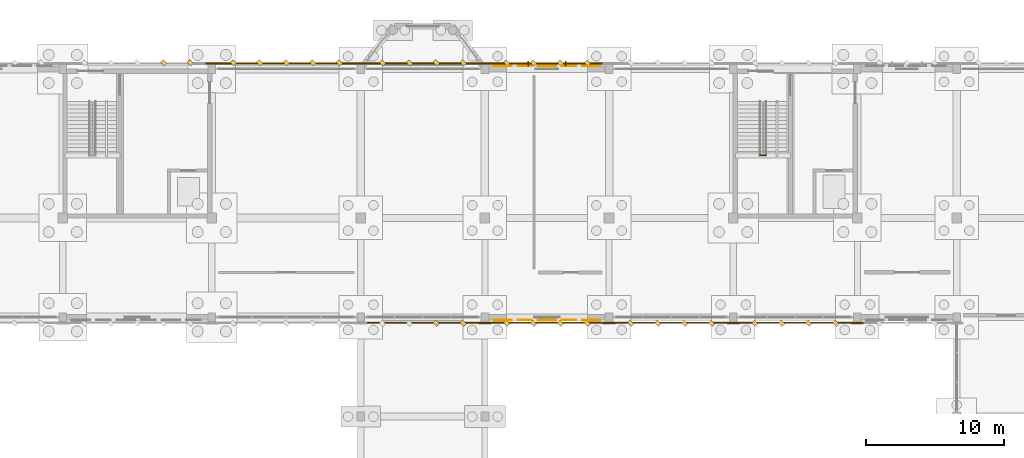
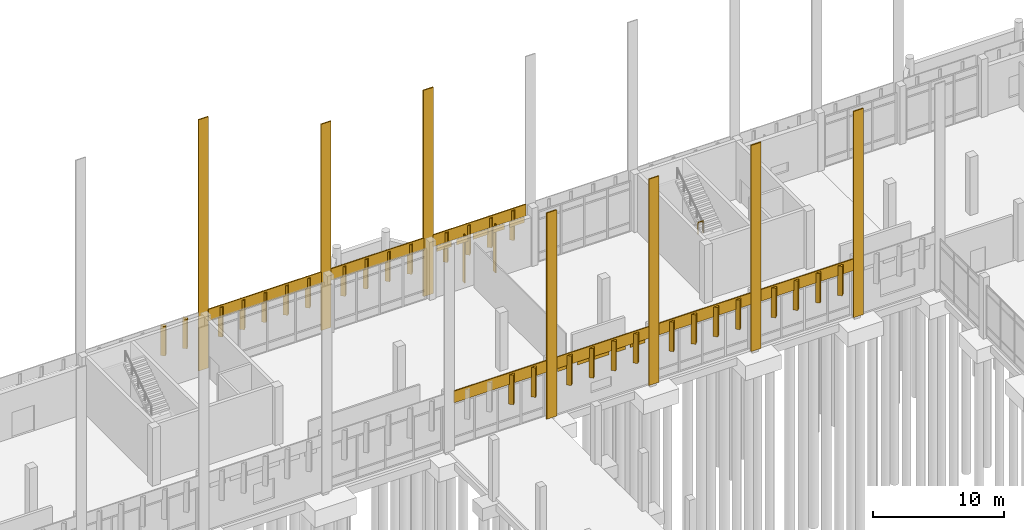
# One storey, part 103 of 109: 55 coverings, 1 railing.
"""IFC4 building model written with IfcOpenShell, lengths in metres."""

from ifc_helpers import new_model, si_unit, direction, frame, origin, origin_2d, place, context, subcontext, project, spatial, rectangle, circle, extrude, material, layer, layer_set, type_object, element, save


model = new_model("IFC4")

# Units and contexts
model_context = context("Model", 3, precision=1e-05, world=origin(), true_north=direction((0.0, 1.0)))
body_context = subcontext(model_context, "Body", "Model", "MODEL_VIEW")
ifc_project = project(units=[si_unit("LENGTHUNIT", "METRE"), si_unit("AREAUNIT", "SQUARE_METRE"), si_unit("VOLUMEUNIT", "CUBIC_METRE"), si_unit("PLANEANGLEUNIT", "RADIAN"), si_unit("MASSUNIT", "GRAM", prefix="KILO")], contexts=[model_context])

# Site, building, storey
site_placement = place(None, origin())
site = spatial("IfcSite", under=ifc_project, at=site_placement, CompositionType="ELEMENT")
building_placement = place(site_placement, origin())
building = spatial("IfcBuilding", under=site, at=building_placement, Name="Lusvemor Sports Hall", CompositionType="ELEMENT")
storey_placement = place(building_placement, origin())
storey = spatial("IfcBuildingStorey", under=building, at=storey_placement, Name="L00", CompositionType="ELEMENT", Elevation=0.0)

# Coverings
ifc_material_1 = material(Name="Precast granite-faced Concrete C40/50 architectural cladding", Category="masonry")
ifc_layer_1 = layer(ifc_material_1, 0.055908203125)
ifc_layer_set_1 = layer_set([ifc_layer_1], Name="Precast granite-faced Concrete C40/50 architectural cladding")
covering_type_1 = type_object("IfcCoveringType", Name="CLAD_RELIEF_FRIEZE", PredefinedType="CLADDING", material=ifc_layer_set_1)
covering_1_placement = place(storey_placement, frame((64.800048828125, 115.610107421875, 0.0), z_axis=(0.0, 0.0, 1.0), x_axis=(1.0, 0.0, 0.0)))
element("IfcCovering", 1, at=covering_1_placement, inside=storey, type_object=covering_type_1, Name="Art Nouveau Pilaster Cladding Casing 495", PredefinedType="CLADDING", context=body_context, shape_type="SweptSolid", body=[
    extrude(rectangle(XDim=0.8798828125, YDim=0.10009765625, at=origin_2d()), origin(), (0.0, 0.0, 1.0), 23.39990234375),
])
for number, where, z_axis, x_axis, name in (
    (2, (75.60009765625, 115.610107421875, 0.0), (0.0, 0.0, 1.0), (1.0, 0.0, 0.0), "Art Nouveau Pilaster Cladding Casing 677"),
    (3, (84.60009765625, 115.610107421875, 0.0), (0.0, 0.0, 1.0), (1.0, 0.0, 0.0), "Art Nouveau Pilaster Cladding Casing 678"),
    (4, (84.60009765625, 96.7900390625, 0.0), (0.0, 0.0, 1.0), (1.0, 0.0, 0.0), "Art Nouveau Pilaster Cladding Casing 1157"),
    (5, (93.60009765625, 96.7900390625, 0.0), (0.0, 0.0, 1.0), (1.0, 0.0, 0.0), "Art Nouveau Pilaster Cladding Casing 1158"),
    (6, (102.60009765625, 96.7900390625, 0.0), (0.0, 0.0, 1.0), (1.0, 0.0, 0.0), "Art Nouveau Pilaster Cladding Casing 1159"),
    (7, (111.60009765625, 96.7900390625, 0.0), (0.0, 0.0, 1.0), (1.0, 0.0, 0.0), "Art Nouveau Pilaster Cladding Casing 1160"),
):
    element("IfcCovering", number, at=place(storey_placement, frame(where, z_axis=z_axis, x_axis=x_axis)), inside=storey, type_object=covering_type_1, Name=name, PredefinedType="CLADDING", context=body_context, shape_type="SweptSolid", body=[
        extrude(rectangle(XDim=0.8798828125, YDim=0.10009765625, at=origin_2d()), origin(), (0.0, 0.0, 1.0), 19.199951171875),
    ])
ifc_material_2 = material(Name="Emerald polychrome glazed ceramic cladding on Concrete C40/50 backing", Category="concrete")
ifc_layer_2 = layer(ifc_material_2, 0.0458984375)
ifc_layer_set_2 = layer_set([ifc_layer_2], Name="Emerald polychrome glazed ceramic cladding on Concrete C40/50 backing")
covering_type_2 = type_object("IfcCoveringType", Name="CLAD_WAVE_EMERALD", PredefinedType="CLADDING", material=ifc_layer_set_2)
for number, where, z_axis, x_axis, name in (
    (8, (85.89990234375, 115.41796875, 3.9248046875), (0.0, 0.0, 1.0), (1.0, 0.0, 0.0), "Art Nouveau Patterned Cladding PS-EW-L00-N-1-8-1"),
    (9, (89.10009765625, 115.41796875, 3.9248046875), (0.0, 0.0, 1.0), (1.0, 0.0, 0.0), "Art Nouveau Patterned Cladding PS-EW-L00-N-1-8-3"),
    (10, (92.300048828125, 115.41796875, 3.9248046875), (0.0, 0.0, 1.0), (1.0, 0.0, 0.0), "Art Nouveau Patterned Cladding PS-EW-L00-N-1-8-5"),
    (11, (85.89990234375, 96.98193359375, 3.9248046875), (0.0, 0.0, 1.0), (1.0, 0.0, 0.0), "Art Nouveau Patterned Cladding PS-EW-L00-S-3-6-1"),
    (12, (89.10009765625, 96.98193359375, 3.9248046875), (0.0, 0.0, 1.0), (1.0, 0.0, 0.0), "Art Nouveau Patterned Cladding PS-EW-L00-S-3-6-3"),
    (13, (92.300048828125, 96.98193359375, 3.9248046875), (0.0, 0.0, 1.0), (1.0, 0.0, 0.0), "Art Nouveau Patterned Cladding PS-EW-L00-S-3-6-5"),
):
    element("IfcCovering", number, at=place(storey_placement, frame(where, z_axis=z_axis, x_axis=x_axis)), inside=storey, type_object=covering_type_2, Name=name, PredefinedType="CLADDING", context=body_context, shape_type="SweptSolid", body=[
        extrude(rectangle(XDim=1.31201171875, YDim=0.0458984375, at=origin_2d()), origin(), (0.0, 0.0, 1.0), 0.510009765625),
    ])
for number, where, z_axis, x_axis, name in (
    (14, (61.320068359375, 115.639892578125, 2.550048828125), (0.0, 0.0, 1.0), (0.707106781187, 0.707106781187, 0.0), "Patterned Diamond Cladding Rib 650"),
    (15, (68.280029296875, 115.639892578125, 2.550048828125), (0.0, 0.0, 1.0), (0.707106781187, 0.707106781187, 0.0), "Patterned Diamond Cladding Rib 685"),
    (16, (72.1201171875, 115.639892578125, 2.550048828125), (0.0, 0.0, 1.0), (0.707106781187, 0.707106781187, 0.0), "Patterned Diamond Cladding Rib 687"),
    (17, (79.125, 115.639892578125, 2.550048828125), (0.0, 0.0, 1.0), (0.707106781187, 0.707106781187, 0.0), "Patterned Diamond Cladding Rib 709"),
    (18, (83.02490234375, 115.639892578125, 2.550048828125), (0.0, 0.0, 1.0), (0.707106781187, 0.707106781187, 0.0), "Patterned Diamond Cladding Rib 711"),
    (19, (88.125, 115.639892578125, 2.550048828125), (0.0, 0.0, 1.0), (0.707106781187, 0.707106781187, 0.0), "Patterned Diamond Cladding Rib 729"),
    (20, (92.02490234375, 115.639892578125, 2.550048828125), (0.0, 0.0, 1.0), (0.707106781187, 0.707106781187, 0.0), "Patterned Diamond Cladding Rib 731"),
    (21, (83.02490234375, 96.760009765625, 2.550048828125), (0.0, 0.0, 1.0), (0.707106781187, 0.707106781187, 0.0), "Patterned Diamond Cladding Rib 1286"),
    (22, (88.125, 96.760009765625, 2.550048828125), (0.0, 0.0, 1.0), (0.707106781187, 0.707106781187, 0.0), "Patterned Diamond Cladding Rib 1304"),
    (23, (92.02490234375, 96.760009765625, 2.550048828125), (0.0, 0.0, 1.0), (0.707106781187, 0.707106781187, 0.0), "Patterned Diamond Cladding Rib 1306"),
    (24, (97.125, 96.760009765625, 2.550048828125), (0.0, 0.0, 1.0), (0.707106781187, 0.707106781187, 0.0), "Patterned Diamond Cladding Rib 1324"),
    (25, (101.02490234375, 96.760009765625, 2.550048828125), (0.0, 0.0, 1.0), (0.707106781187, 0.707106781187, 0.0), "Patterned Diamond Cladding Rib 1326"),
    (26, (106.125, 96.760009765625, 2.550048828125), (0.0, 0.0, 1.0), (0.707106781187, 0.707106781187, 0.0), "Patterned Diamond Cladding Rib 1344"),
    (27, (110.02490234375, 96.760009765625, 2.550048828125), (0.0, 0.0, 1.0), (0.707106781187, 0.707106781187, 0.0), "Patterned Diamond Cladding Rib 1346"),
):
    element("IfcCovering", number, at=place(storey_placement, frame(where, z_axis=z_axis, x_axis=x_axis)), inside=storey, type_object=covering_type_2, Name=name, PredefinedType="CLADDING", context=body_context, shape_type="SweptSolid", body=[
        extrude(rectangle(XDim=0.280029296875, YDim=0.3798828125, at=origin_2d()), origin(), (0.0, 0.0, 1.0), 2.75),
    ])
ifc_material_3 = material(Name="Warm terracotta Art Nouveau ceramic cladding on Concrete C40/50 backing", Category="masonry")
ifc_layer_3 = layer(ifc_material_3, 0.0380859375)
ifc_layer_set_3 = layer_set([ifc_layer_3], Name="Warm terracotta Art Nouveau ceramic cladding on Concrete C40/50 backing")
covering_type_3 = type_object("IfcCoveringType", Name="CLAD_WAVE_OCHRE", PredefinedType="CLADDING", material=ifc_layer_set_3)
for number, where, z_axis, x_axis, name in (
    (28, (87.5, 115.4140625, 3.9248046875), (0.0, 0.0, 1.0), (1.0, 0.0, 0.0), "Art Nouveau Patterned Cladding PS-EW-L00-N-1-8-2"),
    (29, (90.699951171875, 115.4140625, 3.9248046875), (0.0, 0.0, 1.0), (1.0, 0.0, 0.0), "Art Nouveau Patterned Cladding PS-EW-L00-N-1-8-4"),
    (30, (87.5, 96.986083984375, 3.9248046875), (0.0, 0.0, 1.0), (1.0, 0.0, 0.0), "Art Nouveau Patterned Cladding PS-EW-L00-S-3-6-2"),
    (31, (90.699951171875, 96.986083984375, 3.9248046875), (0.0, 0.0, 1.0), (1.0, 0.0, 0.0), "Art Nouveau Patterned Cladding PS-EW-L00-S-3-6-4"),
):
    element("IfcCovering", number, at=place(storey_placement, frame(where, z_axis=z_axis, x_axis=x_axis)), inside=storey, type_object=covering_type_3, Name=name, PredefinedType="CLADDING", context=body_context, shape_type="SweptSolid", body=[
        extrude(rectangle(XDim=1.02392578125, YDim=0.0380859375, at=origin_2d()), origin(), (0.0, 0.0, 1.0), 0.510009765625),
    ])
covering_2_placement = place(storey_placement, frame((70.199951171875, 115.590087890625, 4.3798828125), z_axis=(0.0, 0.0, 1.0), x_axis=(1.0, 0.0, 0.0)))
element("IfcCovering", 32, at=covering_2_placement, inside=storey, type_object=covering_type_3, Name="Art Nouveau Spandrel Cornice 683", PredefinedType="CLADDING", context=body_context, shape_type="SweptSolid", body=[
    extrude(rectangle(XDim=9.97998046875, YDim=0.090087890625, at=origin_2d()), origin(), (0.0, 0.0, 1.0), 1.080078125),
])
for number, where, z_axis, x_axis, name in (
    (33, (80.10009765625, 115.590087890625, 4.3798828125), (0.0, 0.0, 1.0), (1.0, 0.0, 0.0), "Art Nouveau Spandrel Cornice 707"),
    (34, (89.10009765625, 115.590087890625, 4.3798828125), (0.0, 0.0, 1.0), (1.0, 0.0, 0.0), "Art Nouveau Spandrel Cornice 727"),
    (35, (80.10009765625, 96.81005859375, 4.3798828125), (0.0, 0.0, 1.0), (1.0, 0.0, 0.0), "Art Nouveau Spandrel Cornice 1282"),
    (36, (89.10009765625, 96.81005859375, 4.3798828125), (0.0, 0.0, 1.0), (1.0, 0.0, 0.0), "Art Nouveau Spandrel Cornice 1302"),
    (37, (98.10009765625, 96.81005859375, 4.3798828125), (0.0, 0.0, 1.0), (1.0, 0.0, 0.0), "Art Nouveau Spandrel Cornice 1322"),
    (38, (107.10009765625, 96.81005859375, 4.3798828125), (0.0, 0.0, 1.0), (1.0, 0.0, 0.0), "Art Nouveau Spandrel Cornice 1342"),
):
    element("IfcCovering", number, at=place(storey_placement, frame(where, z_axis=z_axis, x_axis=x_axis)), inside=storey, type_object=covering_type_3, Name=name, PredefinedType="CLADDING", context=body_context, shape_type="SweptSolid", body=[
        extrude(rectangle(XDim=8.179931640625, YDim=0.090087890625, at=origin_2d()), origin(), (0.0, 0.0, 1.0), 1.080078125),
    ])
ifc_material_4 = material(Name="Emerald polychrome glazed ceramic cladding on Concrete C40/50 backing", Category="concrete")
ifc_layer_4 = layer(ifc_material_4, 0.35009765625)
ifc_layer_set_4 = layer_set([ifc_layer_4], Name="Emerald polychrome glazed ceramic cladding on Concrete C40/50 backing")
covering_type_4 = type_object("IfcCoveringType", Name="FIN_BRISE_CER_350", PredefinedType="MOLDING", material=ifc_layer_set_4)
for number, where, z_axis, x_axis, name in (
    (39, (87.739990234375, 115.580078125, 0.10009765625), (0.0, 0.0, 1.0), (1.0, 0.0, 0.0), "Wing Brise-Soleil Fin L00-N-1-8-1"),
    (40, (90.4599609375, 115.580078125, 0.10009765625), (0.0, 0.0, 1.0), (1.0, 0.0, 0.0), "Wing Brise-Soleil Fin L00-N-1-8-2"),
):
    element("IfcCovering", number, at=place(storey_placement, frame(where, z_axis=z_axis, x_axis=x_axis)), inside=storey, type_object=covering_type_4, Name=name, PredefinedType="MOLDING", context=body_context, shape_type="SweptSolid", body=[
        extrude(rectangle(XDim=0.080078125, YDim=0.35009765625, at=origin_2d()), origin(), (0.0, 0.0, 1.0), 4.52001953125),
    ])
ifc_material_5 = material(Name="Warm terracotta Art Nouveau ceramic cladding on Concrete C40/50 backing", Category="masonry")
ifc_layer_5 = layer(ifc_material_5, 0.449951171875)
ifc_layer_set_5 = layer_set([ifc_layer_5], Name="Warm terracotta Art Nouveau ceramic cladding on Concrete C40/50 backing")
covering_type_5 = type_object("IfcCoveringType", Name="FIN_BRISE_CER_450", PredefinedType="MOLDING", material=ifc_layer_set_5)
for number, where, z_axis, x_axis, name in (
    (41, (63.239990234375, 115.639892578125, 2.550048828125), (0.0, 0.0, 1.0), (0.707106781187, 0.707106781187, 0.0), "Patterned Diamond Cladding Rib 651"),
    (42, (66.360107421875, 115.639892578125, 2.550048828125), (0.0, 0.0, 1.0), (0.707106781187, 0.707106781187, 0.0), "Patterned Diamond Cladding Rib 684"),
    (43, (70.199951171875, 115.639892578125, 2.550048828125), (0.0, 0.0, 1.0), (0.707106781187, 0.707106781187, 0.0), "Patterned Diamond Cladding Rib 686"),
    (44, (74.0400390625, 115.639892578125, 2.550048828125), (0.0, 0.0, 1.0), (0.707106781187, 0.707106781187, 0.0), "Patterned Diamond Cladding Rib 688"),
    (45, (77.175048828125, 115.639892578125, 2.550048828125), (0.0, 0.0, 1.0), (0.707106781187, 0.707106781187, 0.0), "Patterned Diamond Cladding Rib 708"),
    (46, (81.074951171875, 115.639892578125, 2.550048828125), (0.0, 0.0, 1.0), (0.707106781187, 0.707106781187, 0.0), "Patterned Diamond Cladding Rib 710"),
    (47, (86.175048828125, 115.639892578125, 2.550048828125), (0.0, 0.0, 1.0), (0.707106781187, 0.707106781187, 0.0), "Patterned Diamond Cladding Rib 728"),
    (48, (90.074951171875, 115.639892578125, 2.550048828125), (0.0, 0.0, 1.0), (0.707106781187, 0.707106781187, 0.0), "Patterned Diamond Cladding Rib 730"),
    (49, (81.074951171875, 96.760009765625, 2.550048828125), (0.0, 0.0, 1.0), (0.707106781187, 0.707106781187, 0.0), "Patterned Diamond Cladding Rib 1285"),
    (50, (86.175048828125, 96.760009765625, 2.550048828125), (0.0, 0.0, 1.0), (0.707106781187, 0.707106781187, 0.0), "Patterned Diamond Cladding Rib 1303"),
    (51, (90.074951171875, 96.760009765625, 2.550048828125), (0.0, 0.0, 1.0), (0.707106781187, 0.707106781187, 0.0), "Patterned Diamond Cladding Rib 1305"),
    (52, (95.175048828125, 96.760009765625, 2.550048828125), (0.0, 0.0, 1.0), (0.707106781187, 0.707106781187, 0.0), "Patterned Diamond Cladding Rib 1323"),
    (53, (99.074951171875, 96.760009765625, 2.550048828125), (0.0, 0.0, 1.0), (0.707106781187, 0.707106781187, 0.0), "Patterned Diamond Cladding Rib 1325"),
    (54, (104.175048828125, 96.760009765625, 2.550048828125), (0.0, 0.0, 1.0), (0.707106781187, 0.707106781187, 0.0), "Patterned Diamond Cladding Rib 1343"),
    (55, (108.074951171875, 96.760009765625, 2.550048828125), (0.0, 0.0, 1.0), (0.707106781187, 0.707106781187, 0.0), "Patterned Diamond Cladding Rib 1345"),
):
    element("IfcCovering", number, at=place(storey_placement, frame(where, z_axis=z_axis, x_axis=x_axis)), inside=storey, type_object=covering_type_5, Name=name, PredefinedType="MOLDING", context=body_context, shape_type="SweptSolid", body=[
        extrude(rectangle(XDim=0.280029296875, YDim=0.3798828125, at=origin_2d()), origin(), (0.0, 0.0, 1.0), 2.75),
    ])

# Railing
ifc_material_6 = material(Name="Bronze-finished wrought-steel Art Nouveau balustrade", Category="steel")
railing_type = type_object("IfcRailingType", Name="RAIL_STAIR_GUARD_112", PredefinedType="GUARDRAIL", material=ifc_material_6)
railing_placement = place(storey_placement, frame((104.5400390625, 108.949951171875, 2.699951171875)))
element("IfcRailing", 56, at=railing_placement, inside=storey, type_object=railing_type, Name="Stair STR-C4-L00 Mid Well Guard", PredefinedType="GUARDRAIL", context=body_context, shape_type="SweptSolid", body=[
    extrude(circle(Radius=0.02392578125, at=origin_2d()), frame((0.0, 0.0, 1.09619140625), z_axis=(1.0, 0.0, 0.0), x_axis=(0.0, 1.0, 0.0)), (0.0, 0.0, 1.0), 0.43994140625),
    extrude(circle(Radius=0.02099609375, at=origin_2d()), origin(), (0.0, 0.0, 1.0), 1.072021484375),
    extrude(circle(Radius=0.02099609375, at=origin_2d()), frame((0.43994140625, 0.0, 0.0)), (0.0, 0.0, 1.0), 1.072021484375),
])

save(model, "model.ifc")
